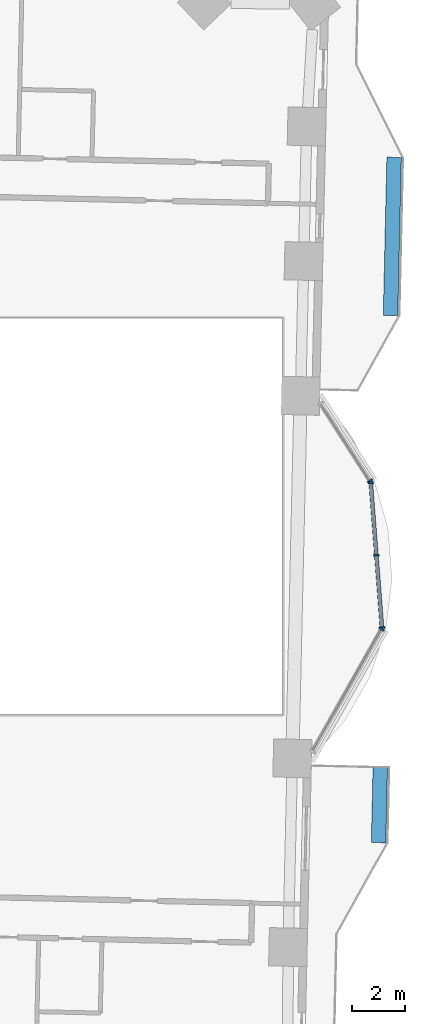
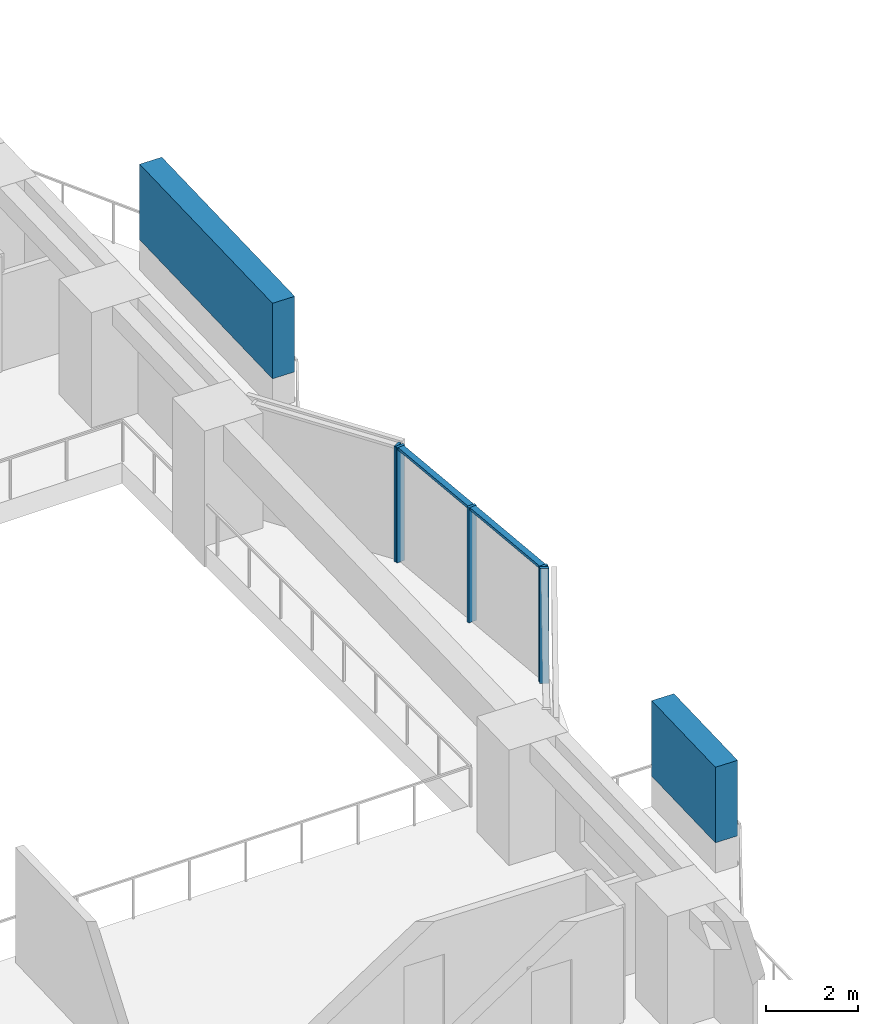
# One storey, part 5 of 18: 9 members, 3 elements without a shape of their own.
"""IFC4 building model written with IfcOpenShell, lengths in metres."""

from ifc_helpers import new_model, si_unit, direction, frame, origin, origin_2d, place, context, subcontext, project, spatial, rectangle, extrude, material, material_profile, profile_set, type_object, element, aggregate, save


model = new_model("IFC4")

# Units and contexts
model_context = context("Model", 3, precision=1e-05, world=origin(), true_north=direction((0.0, 1.0)))
body_context = subcontext(model_context, "Body", "Model", "MODEL_VIEW")
ifc_project = project(units=[si_unit("LENGTHUNIT", "METRE"), si_unit("AREAUNIT", "SQUARE_METRE"), si_unit("VOLUMEUNIT", "CUBIC_METRE"), si_unit("PLANEANGLEUNIT", "RADIAN"), si_unit("MASSUNIT", "GRAM", prefix="KILO")], contexts=[model_context])

# Site, building, storey
site_placement = place(None, origin())
site = spatial("IfcSite", under=ifc_project, at=site_placement, CompositionType="ELEMENT")
building_placement = place(site_placement, origin())
building = spatial("IfcBuilding", under=site, at=building_placement, Name="Mangrove Gate Tower", CompositionType="ELEMENT")
storey_placement = place(building_placement, frame((0.0, 0.0, 67.5)))
storey = spatial("IfcBuildingStorey", under=building, at=storey_placement, Name="L16", CompositionType="ELEMENT", Elevation=67.5)

# Curtain wall, member
ifc_material_1 = material(Name="Aluminium and glass curtain wall", Category="aluminium")
curtain_wall_type = type_object("IfcCurtainWallType", Name="Atrium garden-court glazing wall", PredefinedType="NOTDEFINED", material=ifc_material_1)
curtain_wall_1_placement = place(storey_placement, origin())
curtain_wall_1 = element("IfcCurtainWall", 1, at=curtain_wall_1_placement, inside=storey, type_object=curtain_wall_type, Name="Atrium garden-court glazing E1f1", PredefinedType="NOTDEFINED")
ifc_material_2 = material(Name="Aluminium alloy 6063-T6", Category="aluminium")
ifc_material_profile_1 = material_profile(ifc_material_2, rectangle(XDim=0.070068359375, YDim=0.199951171875, at=origin_2d()))
ifc_profile_set_1 = profile_set([ifc_material_profile_1], Name="Aluminium alloy 6063-T6")
member_type_1 = type_object("IfcMemberType", Name="Atrium garden-court glazing mullion 70x200", PredefinedType="MULLION", material=ifc_profile_set_1)
member_1_placement = place(storey_placement, frame((33.66162109375, -4.2822265625, 0.0), z_axis=(0.0, 0.0, 1.0), x_axis=(0.492603686489, 0.870253760726, 0.0)))
member_1 = element("IfcMember", 2, at=member_1_placement, type_object=member_type_1, Name="CWA mullion 2", PredefinedType="MULLION", context=body_context, shape_type="SweptSolid", body=[
    extrude(rectangle(XDim=0.070068359375, YDim=0.199951171875, at=origin_2d()), origin(), (0.0, 0.0, 1.0), 3.050048828125),
])
aggregate(curtain_wall_1, [member_1])

# Curtain wall, members
curtain_wall_2_placement = place(storey_placement, origin())
curtain_wall_2 = element("IfcCurtainWall", 3, at=curtain_wall_2_placement, inside=storey, type_object=curtain_wall_type, Name="Atrium garden-court glazing E1f2", PredefinedType="NOTDEFINED")
member_2_placement = place(storey_placement, frame((33.67626953125, -4.217041015625, 0.0), z_axis=(0.0, 0.0, 1.0), x_axis=(-0.077023348212, 0.997029289354, 0.0)))
member_2 = element("IfcMember", 4, at=member_2_placement, type_object=member_type_1, Name="CWA mullion 1", PredefinedType="MULLION", context=body_context, shape_type="SweptSolid", body=[
    extrude(rectangle(XDim=0.070068359375, YDim=0.199951171875, at=origin_2d()), origin(), (0.0, 0.0, 1.0), 3.050048828125),
])
member_3_placement = place(storey_placement, frame((33.46435546875, -1.473388671875, 0.0), z_axis=(0.0, 0.0, 1.0), x_axis=(-0.077023348212, 0.997029289354, 0.0)))
member_3 = element("IfcMember", 5, at=member_3_placement, type_object=member_type_1, Name="CWA mullion 2", PredefinedType="MULLION", context=body_context, shape_type="SweptSolid", body=[
    extrude(rectangle(XDim=0.070068359375, YDim=0.199951171875, at=origin_2d()), origin(), (0.0, 0.0, 1.0), 3.050048828125),
])
member_4_placement = place(storey_placement, frame((33.25244140625, 1.270263671875, 0.0), z_axis=(0.0, 0.0, 1.0), x_axis=(-0.077023348212, 0.997029289354, 0.0)))
member_4 = element("IfcMember", 6, at=member_4_placement, type_object=member_type_1, Name="CWA mullion 3", PredefinedType="MULLION", context=body_context, shape_type="SweptSolid", body=[
    extrude(rectangle(XDim=0.070068359375, YDim=0.199951171875, at=origin_2d()), origin(), (0.0, 0.0, 1.0), 3.050048828125),
])

# Curtain wall, member
curtain_wall_3_placement = place(storey_placement, origin())
curtain_wall_3 = element("IfcCurtainWall", 7, at=curtain_wall_3_placement, inside=storey, type_object=curtain_wall_type, Name="Atrium garden-court glazing E1f3", PredefinedType="NOTDEFINED")
member_5_placement = place(storey_placement, frame((33.230712890625, 1.33447265625, 0.0), z_axis=(0.0, 0.0, 1.0), x_axis=(-0.540524576597, 0.841328224948, 0.0)))
member_5 = element("IfcMember", 8, at=member_5_placement, type_object=member_type_1, Name="CWA mullion 1", PredefinedType="MULLION", context=body_context, shape_type="SweptSolid", body=[
    extrude(rectangle(XDim=0.070068359375, YDim=0.199951171875, at=origin_2d()), origin(), (0.0, 0.0, 1.0), 3.050048828125),
])
aggregate(curtain_wall_3, [member_5])

# Member
ifc_material_3 = material(Name="Aluminium alloy 6063-T6", Category="aluminium")
ifc_material_profile_2 = material_profile(ifc_material_3, rectangle(XDim=0.070068359375, YDim=0.14990234375, at=origin_2d()))
ifc_profile_set_2 = profile_set([ifc_material_profile_2], Name="Aluminium alloy 6063-T6")
member_type_2 = type_object("IfcMemberType", Name="Atrium garden-court glazing transom 70x150", PredefinedType="USERDEFINED", material=ifc_profile_set_2)
member_6_placement = place(storey_placement, frame((33.673583984375, -4.18212890625, 3.014892578125), z_axis=(-0.07701672858, 0.997029800718, 0.0), x_axis=(0.0, 0.0, 1.0)))
member_6 = element("IfcMember", 9, at=member_6_placement, type_object=member_type_2, Name="CWA transom 1.2", ObjectType="TRANSOM", PredefinedType="USERDEFINED", context=body_context, shape_type="SweptSolid", body=[
    extrude(rectangle(XDim=0.070068359375, YDim=0.14990234375, at=origin_2d()), origin(), (0.0, 0.0, 1.0), 2.681884765625),
])

member_7_placement = place(storey_placement, frame((33.461669921875, -1.4384765625, 3.014892578125), z_axis=(-0.07701672858, 0.997029800718, 0.0), x_axis=(0.0, 0.0, 1.0)))
member_7 = element("IfcMember", 10, at=member_7_placement, type_object=member_type_2, Name="CWA transom 2.2", ObjectType="TRANSOM", PredefinedType="USERDEFINED", context=body_context, shape_type="SweptSolid", body=[
    extrude(rectangle(XDim=0.070068359375, YDim=0.14990234375, at=origin_2d()), origin(), (0.0, 0.0, 1.0), 2.681884765625),
])

aggregate(curtain_wall_2, [member_2, member_3, member_4, member_6, member_7])

# Members
ifc_material_4 = material(Name="Planting on aluminium trellis", Category="aluminium")
ifc_material_profile_3 = material_profile(ifc_material_4, rectangle(XDim=0.550048828125, YDim=2.0, at=origin_2d()))
ifc_profile_set_3 = profile_set([ifc_material_profile_3], Name="Planting on aluminium trellis")
member_type_3 = type_object("IfcMemberType", Name="Balcony greenery screen 550x2000", PredefinedType="USERDEFINED", material=ifc_profile_set_3)
member_8_placement = place(storey_placement, frame((33.548095703125, -12.3779296875, 1.800048828125), z_axis=(0.022590224177, 0.999744808324, 0.0), x_axis=(-0.999744808324, 0.022590224177, 0.0)))
element("IfcMember", 11, at=member_8_placement, inside=storey, type_object=member_type_3, Name="GREEN SCREEN L16 E0.1", ObjectType="PLANTING", PredefinedType="USERDEFINED", context=body_context, shape_type="SweptSolid", body=[
    extrude(rectangle(XDim=0.550048828125, YDim=2.0, at=origin_2d()), origin(), (0.0, 0.0, 1.0), 2.874755859375),
])
member_9_placement = place(storey_placement, frame((34.001953125, 7.616943359375, 1.800048828125), z_axis=(0.022665943652, 0.999743094499, 0.0), x_axis=(-0.999743094499, 0.022665943652, 0.0)))
element("IfcMember", 12, at=member_9_placement, inside=storey, type_object=member_type_3, Name="GREEN SCREEN L16 E1.1", ObjectType="PLANTING", PredefinedType="USERDEFINED", context=body_context, shape_type="SweptSolid", body=[
    extrude(rectangle(XDim=0.550048828125, YDim=2.0, at=origin_2d()), origin(), (0.0, 0.0, 1.0), 5.99951171875),
])

save(model, "model.ifc")
